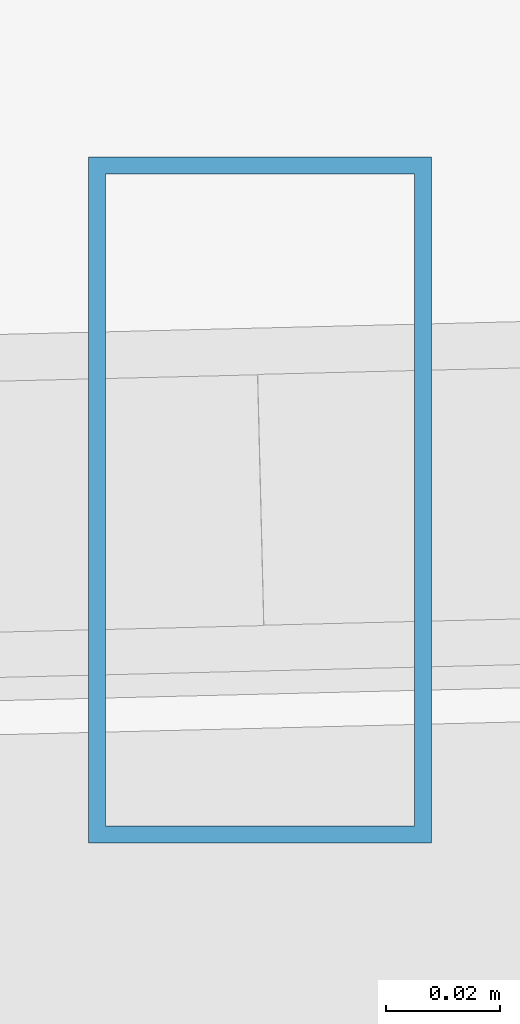
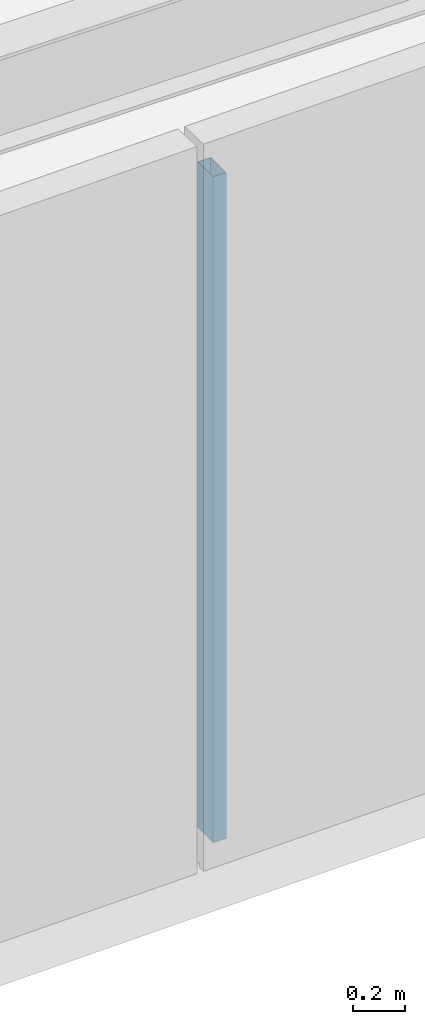
# One storey, part 13 of 47: 1 member, 1 element without a shape of its own.
"""IFC4 building model written with IfcOpenShell, lengths in metres."""

import ifcopenshell
import ifcopenshell.guid

model = None  # the IFC model being written
_history = None  # IfcOwnerHistory: only IFC2X3 demands one
_inside = {}  # id of a spatial element -> (the spatial element, [elements in it])
_under = {}  # id of a project, library or spatial element -> (it, [spatial elements below it])
_declared = {}  # id of a project -> (the project, [libraries it declares])
_typed = {}  # id of a type object -> (the type object, [elements of that type])
_made_of = {}  # id of a material, layer set ... -> (it, [elements and type objects made of it])


def new_model(schema):
    """Start an empty IFC model of exactly this schema.

    Asked for "IFC4X3", IfcOpenShell would pick the latest addendum, in which some entities
    have other attributes; the version numbers below select the first issue.
    IFC2X3 requires an IfcOwnerHistory on every rooted entity: one is made here for all.
    """
    global model, _history
    if schema == "IFC4X3":
        model = ifcopenshell.file(schema_version=(4, 3, 0, 0))
    else:
        model = ifcopenshell.file(schema=schema)
    _inside.clear()
    _under.clear()
    _declared.clear()
    _typed.clear()
    _made_of.clear()
    _history = None
    if model.schema == "IFC2X3":
        org = make("IfcOrganization", Name="unknown")
        user = make(
            "IfcPersonAndOrganization",
            ThePerson=make("IfcPerson", FamilyName="unknown"),
            TheOrganization=org,
        )
        app = make(
            "IfcApplication",
            ApplicationDeveloper=org,
            Version="unknown",
            ApplicationFullName="unknown",
            ApplicationIdentifier="unknown",
        )
        _history = make(
            "IfcOwnerHistory",
            OwningUser=user,
            OwningApplication=app,
            ChangeAction="ADDED",
            CreationDate=0,
        )
    return model


def make(cls, **values):
    """One entity of the class cls with the attributes given. An attribute that is None is left unset."""
    return model.create_entity(
        cls, **{name: value for name, value in values.items() if value is not None}
    )


def rooted(cls, **values):
    """An entity with a GlobalId (a new one), such as an element, a storey or a relation."""
    return make(cls, GlobalId=ifcopenshell.guid.new(), OwnerHistory=_history, **values)


def si_unit(unit_type, name, prefix=None):
    """IfcSIUnit, for example si_unit("LENGTHUNIT", "METRE", prefix="MILLI")."""
    return make("IfcSIUnit", UnitType=unit_type, Prefix=prefix, Name=name)


def assignment(units):
    """IfcUnitAssignment: the units of a project."""
    return None if units is None else make("IfcUnitAssignment", Units=units)


def point(xyz):
    """IfcCartesianPoint."""
    return None if xyz is None else make("IfcCartesianPoint", Coordinates=xyz)


def direction(xyz):
    """IfcDirection."""
    return None if xyz is None else make("IfcDirection", DirectionRatios=xyz)


def frame(location, z_axis=None, x_axis=None):
    """IfcAxis2Placement3D, a coordinate frame: its origin and axes. An axis left out is left unset."""
    return make(
        "IfcAxis2Placement3D",
        Location=point(location),
        Axis=direction(z_axis),
        RefDirection=direction(x_axis),
    )


def frame_2d(location, x_axis=None):
    """IfcAxis2Placement2D, a coordinate frame in the plane: its origin and x axis."""
    return make(
        "IfcAxis2Placement2D", Location=point(location), RefDirection=direction(x_axis)
    )


def origin():
    """The frame at (0, 0, 0) with its axes left unset."""
    return frame((0.0, 0.0, 0.0))


def origin_2d():
    """The frame at (0, 0) in the plane with its x axis left unset."""
    return frame_2d((0.0, 0.0))


def place(relative_to, where):
    """IfcLocalPlacement: puts the frame where relative to a parent placement (None: the world)."""
    return make(
        "IfcLocalPlacement", PlacementRelTo=relative_to, RelativePlacement=where
    )


def context(
    kind, dimensions, precision=None, world=None, true_north=None, identifier=None
):
    """IfcGeometricRepresentationContext, for example the 3D "Model" context."""
    return make(
        "IfcGeometricRepresentationContext",
        ContextIdentifier=identifier,
        ContextType=kind,
        CoordinateSpaceDimension=dimensions,
        Precision=precision,
        WorldCoordinateSystem=world,
        TrueNorth=true_north,
    )


def subcontext(parent, identifier, kind, view, scale=None):
    """IfcGeometricRepresentationSubContext, for example "Body" below "Model"."""
    return make(
        "IfcGeometricRepresentationSubContext",
        ContextIdentifier=identifier,
        ContextType=kind,
        ParentContext=parent,
        TargetScale=scale,
        TargetView=view,
    )


def project(units=None, contexts=None):
    """IfcProject with its units and contexts."""
    return rooted(
        "IfcProject",
        Name="project",
        RepresentationContexts=contexts,
        UnitsInContext=assignment(units),
    )


def spatial(cls, under=None, at=None, **own):
    """A site, building, storey or space (cls), placed at a placement, below another one or the project."""
    s = rooted(cls, ObjectPlacement=at, **own)
    if under is not None:
        _under.setdefault(under.id(), (under, []))[1].append(s)
    return s


def profile(cls, at=None, kind="AREA", **sizes):
    """A parametric profile (cls). Its sizes go by their IFC names, for example OverallWidth=200.0."""
    return make(cls, ProfileType=kind, Position=at, **sizes)


def hollow_rectangle(**sizes):
    """IfcRectangleHollowProfileDef."""
    return profile("IfcRectangleHollowProfileDef", **sizes)


def extrude(swept, where, along, depth):
    """IfcExtrudedAreaSolid: the profile swept, set in the frame where, extruded along a direction by depth."""
    return make(
        "IfcExtrudedAreaSolid",
        SweptArea=swept,
        Position=where,
        ExtrudedDirection=direction(along),
        Depth=depth,
    )


def shape(context_of_items, identifier, shape_type, items):
    """IfcShapeRepresentation: the items that make up one representation, for example the "Body"."""
    return make(
        "IfcShapeRepresentation",
        ContextOfItems=context_of_items,
        RepresentationIdentifier=identifier,
        RepresentationType=shape_type,
        Items=items,
    )


def source(mapping_origin, context_of_items, identifier, shape_type, items):
    """IfcRepresentationMap: a shape defined once, which mapped items show again and again."""
    return make(
        "IfcRepresentationMap",
        MappingOrigin=mapping_origin,
        MappedRepresentation=shape(context_of_items, identifier, shape_type, items),
    )


def transform(
    local_origin,
    x_axis=None,
    y_axis=None,
    z_axis=None,
    scale=None,
    scale2=None,
    scale3=None,
    uniform=True,
):
    """IfcCartesianTransformationOperator3D, or its non-uniform kind. x_axis, y_axis, z_axis: its Axis1, 2, 3."""
    if uniform:
        return make(
            "IfcCartesianTransformationOperator3D",
            Axis1=direction(x_axis),
            Axis2=direction(y_axis),
            LocalOrigin=point(local_origin),
            Scale=scale,
            Axis3=direction(z_axis),
        )
    return make(
        "IfcCartesianTransformationOperator3DnonUniform",
        Axis1=direction(x_axis),
        Axis2=direction(y_axis),
        LocalOrigin=point(local_origin),
        Scale=scale,
        Axis3=direction(z_axis),
        Scale2=scale2,
        Scale3=scale3,
    )


def mapped(mapping_source, mapping_target):
    """IfcMappedItem: shows the shape of a source again, moved by a transform."""
    return make(
        "IfcMappedItem", MappingSource=mapping_source, MappingTarget=mapping_target
    )


def material(Name=None, Category=None):
    """IfcMaterial."""
    return make("IfcMaterial", Name=Name, Category=Category)


def material_profile(
    of_material, cross_section, Name=None, Category=None, Priority=None
):
    """IfcMaterialProfile: a cross section and its material."""
    return make(
        "IfcMaterialProfile",
        Name=Name,
        Material=of_material,
        Profile=cross_section,
        Priority=Priority,
        Category=Category,
    )


def profile_set(profiles, Name=None, composite=None):
    """IfcMaterialProfileSet."""
    return make(
        "IfcMaterialProfileSet",
        Name=Name,
        MaterialProfiles=profiles,
        CompositeProfile=composite,
    )


def made_of(thing, what):
    """Note that an element or type object is made of a material, layer set ...; save() writes the relation."""
    if what is not None:
        _made_of.setdefault(what.id(), (what, []))[1].append(thing)
    return thing


def type_object(cls, material=None, **own):
    """A type object (cls), such as IfcWallType, which elements share."""
    return made_of(rooted(cls, **own), material)


def type_shapes(of_type, sources):
    """Give a type object the sources (RepresentationMaps) that its elements show as mapped items."""
    of_type.RepresentationMaps = sources


def element(
    cls,
    number,
    at=None,
    inside=None,
    cuts=None,
    type_object=None,
    material=None,
    context=None,
    identifier="Body",
    shape_type=None,
    held_by="IfcProductDefinitionShape",
    body=None,
    shapes=None,
    **own,
):
    """One element of the class cls, such as IfcWall. Its Tag is "e" and its number.

    at: its placement. inside: the storey or other place that contains it. cuts: it is an
    opening in that element (IfcRelVoidsElement). A single representation is given by context,
    identifier, shape_type and body (its items); several are given by shapes. held_by: the class
    of the entity that holds the representations. save() writes the other relations.
    """
    e = rooted(cls, Tag="e%d" % number, ObjectPlacement=at, **own)
    if body is not None:
        shapes = [shape(context, identifier, shape_type, body)]
    if shapes is not None:
        e.Representation = make(held_by, Representations=shapes)
    if inside is not None:
        _inside.setdefault(inside.id(), (inside, []))[1].append(e)
    if cuts is not None:
        rooted(
            "IfcRelVoidsElement", RelatingBuildingElement=cuts, RelatedOpeningElement=e
        )
    if type_object is not None:
        _typed.setdefault(type_object.id(), (type_object, []))[1].append(e)
    return made_of(e, material)


def aggregate(whole, parts):
    """IfcRelAggregates: a whole, such as a stair, and the parts it consists of."""
    return rooted("IfcRelAggregates", RelatingObject=whole, RelatedObjects=parts)


def save(model, path):
    """Write the relations noted so far, then the file.

    IfcRelAggregates (storeys below a building ...), IfcRelContainedInSpatialStructure (elements
    in a storey), IfcRelDefinesByType, IfcRelAssociatesMaterial and IfcRelDeclares: one each for
    every whole, place, type object, material and project.
    """
    for whole, parts in _under.values():
        aggregate(whole, parts)
    for where, things in _inside.values():
        rooted(
            "IfcRelContainedInSpatialStructure",
            RelatedElements=things,
            RelatingStructure=where,
        )
    for kind, things in _typed.values():
        rooted("IfcRelDefinesByType", RelatedObjects=things, RelatingType=kind)
    for what, things in _made_of.values():
        rooted("IfcRelAssociatesMaterial", RelatedObjects=things, RelatingMaterial=what)
    for by, libraries in _declared.values():
        rooted("IfcRelDeclares", RelatingContext=by, RelatedDefinitions=libraries)
    model.write(path)


model = new_model("IFC4")

# Units and contexts
model_context = context("Model", 3, precision=1e-05, world=origin(), true_north=direction((0.0, 1.0)))
body_context = subcontext(model_context, "Body", "Model", "MODEL_VIEW")
ifc_project = project(units=[si_unit("LENGTHUNIT", "METRE"), si_unit("AREAUNIT", "SQUARE_METRE"), si_unit("VOLUMEUNIT", "CUBIC_METRE"), si_unit("PLANEANGLEUNIT", "RADIAN"), si_unit("MASSUNIT", "GRAM", prefix="KILO")], contexts=[model_context])

# Site, building, storey
site_placement = place(None, origin())
site = spatial("IfcSite", under=ifc_project, at=site_placement, CompositionType="ELEMENT")
building_placement = place(site_placement, origin())
building = spatial("IfcBuilding", under=site, at=building_placement, Name="Caelisora Broadcast Tower", CompositionType="ELEMENT")
storey_placement = place(building_placement, frame((0.0, 0.0, 293.199951171875)))
storey = spatial("IfcBuildingStorey", under=building, at=storey_placement, Name="L77", CompositionType="ELEMENT", Elevation=293.199951171875)

# Curtain wall, member
ifc_material_1 = material(Name="Unitised Aluminium Insulated Shadow-Box Spandrel Curtain Wall", Category="aluminium")
curtain_wall_type = type_object("IfcCurtainWallType", Name="CW-SP3", PredefinedType="NOTDEFINED", material=ifc_material_1)
curtain_wall_placement = place(storey_placement, origin())
curtain_wall = element("IfcCurtainWall", 1, at=curtain_wall_placement, inside=storey, type_object=curtain_wall_type, Name="L77 curtain wall CW-SP3", PredefinedType="NOTDEFINED")
ifc_material_2 = material(Name="Aluminium 6063-T6 Anodised Terracotta Bronze", Category="aluminium")
ifc_material_profile = material_profile(ifc_material_2, hollow_rectangle(XDim=0.06005859375, YDim=0.1201171875, WallThickness=0.0029296875, at=origin_2d()), Name="Aluminium 6063-T6 Anodised Terracotta Bronze")
ifc_profile_set = profile_set([ifc_material_profile], Name="Aluminium 6063-T6 Anodised Terracotta Bronze")
member_type = type_object("IfcMemberType", Name="CWM-04", PredefinedType="MULLION", material=ifc_profile_set)
shared_shape = source(origin(), body_context, "Body", "SweptSolid", [
    extrude(hollow_rectangle(XDim=0.06005859375, YDim=0.1201171875, WallThickness=0.0029296875, at=origin_2d()), origin(), (0.0, 0.0, 1.0), 3.150146484375),
])
type_shapes(member_type, [shared_shape])
member_placement = place(storey_placement, frame((40.002197265625, 8.978759765625, 0.0), z_axis=(0.0, 0.0, 1.0), x_axis=(1.0, 0.0, 0.0)))
member = element("IfcMember", 2, at=member_placement, type_object=member_type, Name="L77-CW-B06 mullion #1", PredefinedType="MULLION", context=body_context, shape_type="MappedRepresentation", body=[
    mapped(shared_shape, transform((0.0, 0.0, 0.0), scale=1.0)),
])
aggregate(curtain_wall, [member])

save(model, "model.ifc")
